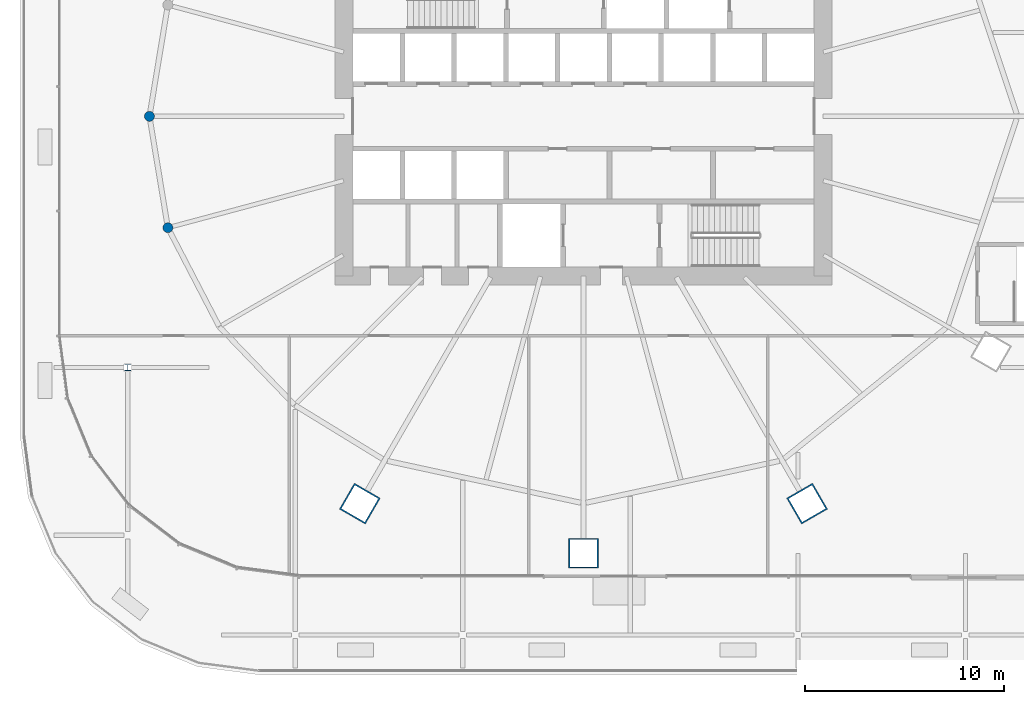
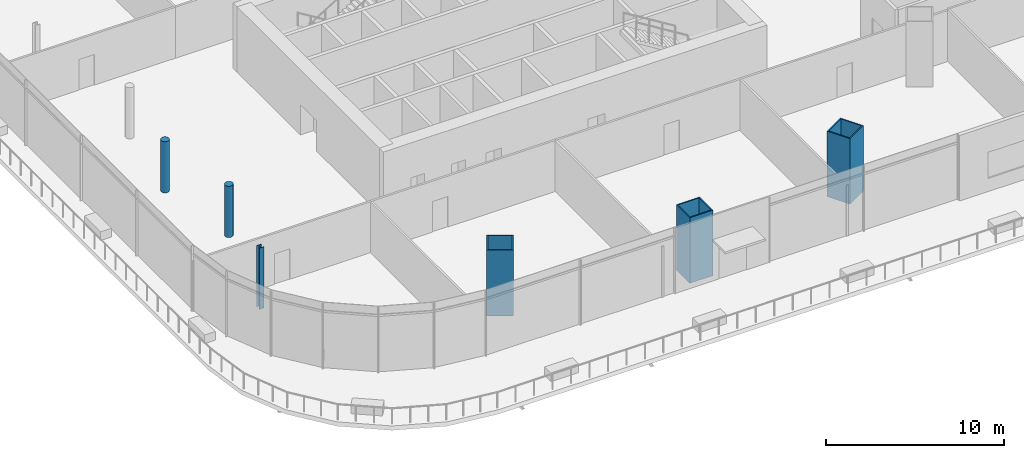
# One storey, part 1 of 49: 6 columns.
"""IFC4 building model written with IfcOpenShell, lengths in metres."""

from ifc_helpers import new_model, si_unit, direction, frame, origin, origin_2d, place, context, subcontext, project, spatial, hollow_rectangle, circle, i_section, extrude, material, material_profile, profile_set, type_object, element, save


model = new_model("IFC4")

# Units and contexts
model_context = context("Model", 3, precision=1e-05, world=origin(), true_north=direction((0.0, 1.0)))
body_context = subcontext(model_context, "Body", "Model", "MODEL_VIEW")
ifc_project = project(units=[si_unit("LENGTHUNIT", "METRE"), si_unit("AREAUNIT", "SQUARE_METRE"), si_unit("VOLUMEUNIT", "CUBIC_METRE"), si_unit("PLANEANGLEUNIT", "RADIAN"), si_unit("MASSUNIT", "GRAM", prefix="KILO")], contexts=[model_context])

# Site, building, storey
site_placement = place(None, origin())
site = spatial("IfcSite", under=ifc_project, at=site_placement, CompositionType="ELEMENT")
building_placement = place(site_placement, origin())
building = spatial("IfcBuilding", under=site, at=building_placement, Name="Rimbun Link Towers", CompositionType="ELEMENT")
storey_placement = place(building_placement, frame((0.0, 0.0, 25.5)))
storey = spatial("IfcBuildingStorey", under=building, at=storey_placement, Name="L05", CompositionType="ELEMENT", Elevation=25.5)

# Columns
ifc_material_1 = material(Name="Steel S460N", Category="steel")
ifc_material_profile_1 = material_profile(ifc_material_1, hollow_rectangle(XDim=1.5, YDim=1.5, WallThickness=0.070068359375, at=origin_2d()), Name="BOX 1500x1500x70")
ifc_profile_set_1 = profile_set([ifc_material_profile_1], Name="Steel S460N")
column_type_1 = type_object("IfcColumnType", Name="BOX 1500x1500x70", PredefinedType="COLUMN", material=ifc_profile_set_1)
for number, where, z_axis, x_axis, name in (
    (1, (-42.961181640625, -19.418212890625, 0.0), (0.0, 0.0, 1.0), (-0.5, -0.866025403784, 0.0), "Mega column T1 L05 16"),
    (2, (-31.75, -21.904296875, 0.0), (0.0, 0.0, 1.0), (0.0, -1.0, 0.0), "Mega column T1 L05 18"),
    (3, (-20.538818359375, -19.418212890625, 0.0), (0.0, 0.0, 1.0), (0.5, -0.866025403784, 0.0), "Mega column T1 L05 20"),
):
    element("IfcColumn", number, at=place(storey_placement, frame(where, z_axis=z_axis, x_axis=x_axis)), inside=storey, type_object=column_type_1, Name=name, PredefinedType="COLUMN", context=body_context, shape_type="SweptSolid", body=[
        extrude(hollow_rectangle(XDim=1.5, YDim=1.5, WallThickness=0.070068359375, at=origin_2d()), origin(), (0.0, 0.0, 1.0), 4.5),
    ])
ifc_material_2 = material(Name="Concrete C80/95", Category="concrete")
ifc_material_profile_2 = material_profile(ifc_material_2, circle(Radius=0.25, at=origin_2d()), Name="RC D500")
ifc_profile_set_2 = profile_set([ifc_material_profile_2], Name="Concrete C80/95")
column_type_2 = type_object("IfcColumnType", Name="RC D500", PredefinedType="COLUMN", material=ifc_profile_set_2)
for number, where, z_axis, x_axis, name in (
    (4, (-53.50927734375, 0.0, 0.0), (0.0, 0.0, 1.0), (1.0, 0.0, 0.0), "Recess post T1 L05 12"),
    (5, (-52.58642578125, -5.5830078125, 0.0), (0.0, 0.0, 1.0), (1.0, 0.0, 0.0), "Recess post T1 L05 13"),
):
    element("IfcColumn", number, at=place(storey_placement, frame(where, z_axis=z_axis, x_axis=x_axis)), inside=storey, type_object=column_type_2, Name=name, PredefinedType="COLUMN", context=body_context, shape_type="SweptSolid", body=[
        extrude(circle(Radius=0.25, at=origin_2d()), origin(), (0.0, 0.0, 1.0), 3.5166015625),
    ])
ifc_material_3 = material(Name="Steel S355J2", Category="steel")
ifc_material_profile_3 = material_profile(ifc_material_3, i_section(OverallWidth=0.307373046875, OverallDepth=0.314453125, WebThickness=0.011962890625, FlangeThickness=0.018798828125, at=origin_2d()), Name="UC 305x305x118")
ifc_profile_set_3 = profile_set([ifc_material_profile_3], Name="Steel S355J2")
column_type_3 = type_object("IfcColumnType", Name="UC 305x305x118", PredefinedType="COLUMN", material=ifc_profile_set_3)
column_placement = place(storey_placement, frame((-54.60009765625, -12.60009765625, 0.0), z_axis=(0.0, 0.0, 1.0), x_axis=(1.0, 0.0, 0.0)))
element("IfcColumn", 6, at=column_placement, inside=storey, type_object=column_type_3, Name="Column L05 -54.6 -12.6", PredefinedType="COLUMN", context=body_context, shape_type="SweptSolid", body=[
    extrude(i_section(OverallWidth=0.307373046875, OverallDepth=0.314453125, WebThickness=0.011962890625, FlangeThickness=0.018798828125, at=origin_2d()), origin(), (0.0, 0.0, 1.0), 4.199951171875),
])

save(model, "model.ifc")
